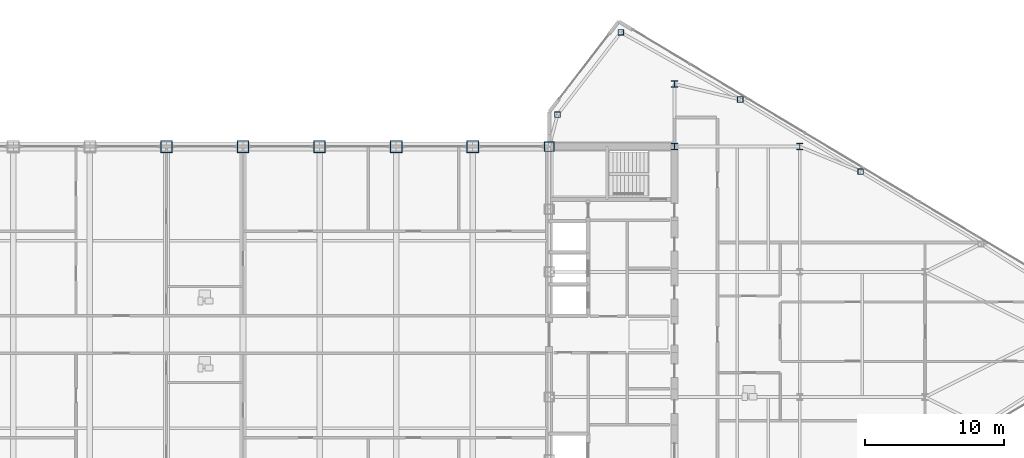
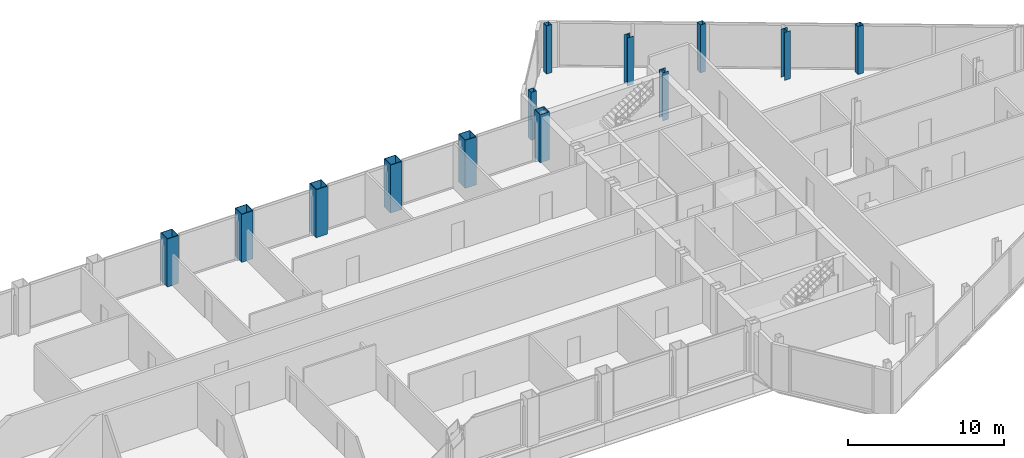
# One storey, part 6 of 29: 13 columns.
"""IFC4 building model written with IfcOpenShell, lengths in metres."""

import ifcopenshell
import ifcopenshell.guid

model = None  # the IFC model being written
_history = None  # IfcOwnerHistory: only IFC2X3 demands one
_inside = {}  # id of a spatial element -> (the spatial element, [elements in it])
_under = {}  # id of a project, library or spatial element -> (it, [spatial elements below it])
_declared = {}  # id of a project -> (the project, [libraries it declares])
_typed = {}  # id of a type object -> (the type object, [elements of that type])
_made_of = {}  # id of a material, layer set ... -> (it, [elements and type objects made of it])


def new_model(schema):
    """Start an empty IFC model of exactly this schema.

    Asked for "IFC4X3", IfcOpenShell would pick the latest addendum, in which some entities
    have other attributes; the version numbers below select the first issue.
    IFC2X3 requires an IfcOwnerHistory on every rooted entity: one is made here for all.
    """
    global model, _history
    if schema == "IFC4X3":
        model = ifcopenshell.file(schema_version=(4, 3, 0, 0))
    else:
        model = ifcopenshell.file(schema=schema)
    _inside.clear()
    _under.clear()
    _declared.clear()
    _typed.clear()
    _made_of.clear()
    _history = None
    if model.schema == "IFC2X3":
        org = make("IfcOrganization", Name="unknown")
        user = make(
            "IfcPersonAndOrganization",
            ThePerson=make("IfcPerson", FamilyName="unknown"),
            TheOrganization=org,
        )
        app = make(
            "IfcApplication",
            ApplicationDeveloper=org,
            Version="unknown",
            ApplicationFullName="unknown",
            ApplicationIdentifier="unknown",
        )
        _history = make(
            "IfcOwnerHistory",
            OwningUser=user,
            OwningApplication=app,
            ChangeAction="ADDED",
            CreationDate=0,
        )
    return model


def make(cls, **values):
    """One entity of the class cls with the attributes given. An attribute that is None is left unset."""
    return model.create_entity(
        cls, **{name: value for name, value in values.items() if value is not None}
    )


def rooted(cls, **values):
    """An entity with a GlobalId (a new one), such as an element, a storey or a relation."""
    return make(cls, GlobalId=ifcopenshell.guid.new(), OwnerHistory=_history, **values)


def si_unit(unit_type, name, prefix=None):
    """IfcSIUnit, for example si_unit("LENGTHUNIT", "METRE", prefix="MILLI")."""
    return make("IfcSIUnit", UnitType=unit_type, Prefix=prefix, Name=name)


def assignment(units):
    """IfcUnitAssignment: the units of a project."""
    return None if units is None else make("IfcUnitAssignment", Units=units)


def point(xyz):
    """IfcCartesianPoint."""
    return None if xyz is None else make("IfcCartesianPoint", Coordinates=xyz)


def direction(xyz):
    """IfcDirection."""
    return None if xyz is None else make("IfcDirection", DirectionRatios=xyz)


def frame(location, z_axis=None, x_axis=None):
    """IfcAxis2Placement3D, a coordinate frame: its origin and axes. An axis left out is left unset."""
    return make(
        "IfcAxis2Placement3D",
        Location=point(location),
        Axis=direction(z_axis),
        RefDirection=direction(x_axis),
    )


def frame_2d(location, x_axis=None):
    """IfcAxis2Placement2D, a coordinate frame in the plane: its origin and x axis."""
    return make(
        "IfcAxis2Placement2D", Location=point(location), RefDirection=direction(x_axis)
    )


def origin():
    """The frame at (0, 0, 0) with its axes left unset."""
    return frame((0.0, 0.0, 0.0))


def origin_2d():
    """The frame at (0, 0) in the plane with its x axis left unset."""
    return frame_2d((0.0, 0.0))


def place(relative_to, where):
    """IfcLocalPlacement: puts the frame where relative to a parent placement (None: the world)."""
    return make(
        "IfcLocalPlacement", PlacementRelTo=relative_to, RelativePlacement=where
    )


def context(
    kind, dimensions, precision=None, world=None, true_north=None, identifier=None
):
    """IfcGeometricRepresentationContext, for example the 3D "Model" context."""
    return make(
        "IfcGeometricRepresentationContext",
        ContextIdentifier=identifier,
        ContextType=kind,
        CoordinateSpaceDimension=dimensions,
        Precision=precision,
        WorldCoordinateSystem=world,
        TrueNorth=true_north,
    )


def subcontext(parent, identifier, kind, view, scale=None):
    """IfcGeometricRepresentationSubContext, for example "Body" below "Model"."""
    return make(
        "IfcGeometricRepresentationSubContext",
        ContextIdentifier=identifier,
        ContextType=kind,
        ParentContext=parent,
        TargetScale=scale,
        TargetView=view,
    )


def project(units=None, contexts=None):
    """IfcProject with its units and contexts."""
    return rooted(
        "IfcProject",
        Name="project",
        RepresentationContexts=contexts,
        UnitsInContext=assignment(units),
    )


def spatial(cls, under=None, at=None, **own):
    """A site, building, storey or space (cls), placed at a placement, below another one or the project."""
    s = rooted(cls, ObjectPlacement=at, **own)
    if under is not None:
        _under.setdefault(under.id(), (under, []))[1].append(s)
    return s


def profile(cls, at=None, kind="AREA", **sizes):
    """A parametric profile (cls). Its sizes go by their IFC names, for example OverallWidth=200.0."""
    return make(cls, ProfileType=kind, Position=at, **sizes)


def hollow_rectangle(**sizes):
    """IfcRectangleHollowProfileDef."""
    return profile("IfcRectangleHollowProfileDef", **sizes)


def i_section(**sizes):
    """IfcIShapeProfileDef."""
    return profile("IfcIShapeProfileDef", **sizes)


def extrude(swept, where, along, depth):
    """IfcExtrudedAreaSolid: the profile swept, set in the frame where, extruded along a direction by depth."""
    return make(
        "IfcExtrudedAreaSolid",
        SweptArea=swept,
        Position=where,
        ExtrudedDirection=direction(along),
        Depth=depth,
    )


def shape(context_of_items, identifier, shape_type, items):
    """IfcShapeRepresentation: the items that make up one representation, for example the "Body"."""
    return make(
        "IfcShapeRepresentation",
        ContextOfItems=context_of_items,
        RepresentationIdentifier=identifier,
        RepresentationType=shape_type,
        Items=items,
    )


def source(mapping_origin, context_of_items, identifier, shape_type, items):
    """IfcRepresentationMap: a shape defined once, which mapped items show again and again."""
    return make(
        "IfcRepresentationMap",
        MappingOrigin=mapping_origin,
        MappedRepresentation=shape(context_of_items, identifier, shape_type, items),
    )


def transform(
    local_origin,
    x_axis=None,
    y_axis=None,
    z_axis=None,
    scale=None,
    scale2=None,
    scale3=None,
    uniform=True,
):
    """IfcCartesianTransformationOperator3D, or its non-uniform kind. x_axis, y_axis, z_axis: its Axis1, 2, 3."""
    if uniform:
        return make(
            "IfcCartesianTransformationOperator3D",
            Axis1=direction(x_axis),
            Axis2=direction(y_axis),
            LocalOrigin=point(local_origin),
            Scale=scale,
            Axis3=direction(z_axis),
        )
    return make(
        "IfcCartesianTransformationOperator3DnonUniform",
        Axis1=direction(x_axis),
        Axis2=direction(y_axis),
        LocalOrigin=point(local_origin),
        Scale=scale,
        Axis3=direction(z_axis),
        Scale2=scale2,
        Scale3=scale3,
    )


def mapped(mapping_source, mapping_target):
    """IfcMappedItem: shows the shape of a source again, moved by a transform."""
    return make(
        "IfcMappedItem", MappingSource=mapping_source, MappingTarget=mapping_target
    )


def material(Name=None, Category=None):
    """IfcMaterial."""
    return make("IfcMaterial", Name=Name, Category=Category)


def material_profile(
    of_material, cross_section, Name=None, Category=None, Priority=None
):
    """IfcMaterialProfile: a cross section and its material."""
    return make(
        "IfcMaterialProfile",
        Name=Name,
        Material=of_material,
        Profile=cross_section,
        Priority=Priority,
        Category=Category,
    )


def profile_set(profiles, Name=None, composite=None):
    """IfcMaterialProfileSet."""
    return make(
        "IfcMaterialProfileSet",
        Name=Name,
        MaterialProfiles=profiles,
        CompositeProfile=composite,
    )


def made_of(thing, what):
    """Note that an element or type object is made of a material, layer set ...; save() writes the relation."""
    if what is not None:
        _made_of.setdefault(what.id(), (what, []))[1].append(thing)
    return thing


def type_object(cls, material=None, **own):
    """A type object (cls), such as IfcWallType, which elements share."""
    return made_of(rooted(cls, **own), material)


def type_shapes(of_type, sources):
    """Give a type object the sources (RepresentationMaps) that its elements show as mapped items."""
    of_type.RepresentationMaps = sources


def element(
    cls,
    number,
    at=None,
    inside=None,
    cuts=None,
    type_object=None,
    material=None,
    context=None,
    identifier="Body",
    shape_type=None,
    held_by="IfcProductDefinitionShape",
    body=None,
    shapes=None,
    **own,
):
    """One element of the class cls, such as IfcWall. Its Tag is "e" and its number.

    at: its placement. inside: the storey or other place that contains it. cuts: it is an
    opening in that element (IfcRelVoidsElement). A single representation is given by context,
    identifier, shape_type and body (its items); several are given by shapes. held_by: the class
    of the entity that holds the representations. save() writes the other relations.
    """
    e = rooted(cls, Tag="e%d" % number, ObjectPlacement=at, **own)
    if body is not None:
        shapes = [shape(context, identifier, shape_type, body)]
    if shapes is not None:
        e.Representation = make(held_by, Representations=shapes)
    if inside is not None:
        _inside.setdefault(inside.id(), (inside, []))[1].append(e)
    if cuts is not None:
        rooted(
            "IfcRelVoidsElement", RelatingBuildingElement=cuts, RelatedOpeningElement=e
        )
    if type_object is not None:
        _typed.setdefault(type_object.id(), (type_object, []))[1].append(e)
    return made_of(e, material)


def aggregate(whole, parts):
    """IfcRelAggregates: a whole, such as a stair, and the parts it consists of."""
    return rooted("IfcRelAggregates", RelatingObject=whole, RelatedObjects=parts)


def save(model, path):
    """Write the relations noted so far, then the file.

    IfcRelAggregates (storeys below a building ...), IfcRelContainedInSpatialStructure (elements
    in a storey), IfcRelDefinesByType, IfcRelAssociatesMaterial and IfcRelDeclares: one each for
    every whole, place, type object, material and project.
    """
    for whole, parts in _under.values():
        aggregate(whole, parts)
    for where, things in _inside.values():
        rooted(
            "IfcRelContainedInSpatialStructure",
            RelatedElements=things,
            RelatingStructure=where,
        )
    for kind, things in _typed.values():
        rooted("IfcRelDefinesByType", RelatedObjects=things, RelatingType=kind)
    for what, things in _made_of.values():
        rooted("IfcRelAssociatesMaterial", RelatedObjects=things, RelatingMaterial=what)
    for by, libraries in _declared.values():
        rooted("IfcRelDeclares", RelatingContext=by, RelatedDefinitions=libraries)
    model.write(path)


model = new_model("IFC4")

# Units and contexts
model_context = context("Model", 3, precision=1e-05, world=origin(), true_north=direction((0.0, 1.0)))
body_context = subcontext(model_context, "Body", "Model", "MODEL_VIEW")
ifc_project = project(units=[si_unit("LENGTHUNIT", "METRE"), si_unit("AREAUNIT", "SQUARE_METRE"), si_unit("VOLUMEUNIT", "CUBIC_METRE"), si_unit("PLANEANGLEUNIT", "RADIAN"), si_unit("MASSUNIT", "GRAM", prefix="KILO")], contexts=[model_context])

# Site, building, storey
site_placement = place(None, origin())
site = spatial("IfcSite", under=ifc_project, at=site_placement, CompositionType="ELEMENT")
building_placement = place(site_placement, origin())
building = spatial("IfcBuilding", under=site, at=building_placement, Name="Seokmaru Belvedere", CompositionType="ELEMENT")
storey_placement = place(building_placement, frame((0.0, 0.0, 239.39990234375)))
storey = spatial("IfcBuildingStorey", under=building, at=storey_placement, Name="L63", CompositionType="ELEMENT", Elevation=239.39990234375)

# Columns
ifc_material_1 = material(Name="Steel SM355 (355 MPa)", Category="steel")
ifc_material_profile_1 = material_profile(ifc_material_1, hollow_rectangle(XDim=0.699951171875, YDim=0.699951171875, WallThickness=0.030029296875, at=origin_2d()), Name="BOX-700x700x30")
ifc_profile_set_1 = profile_set([ifc_material_profile_1], Name="Steel SM355 (355 MPa)")
column_type_1 = type_object("IfcColumnType", Name="Upper Spine Column BOX-700", PredefinedType="COLUMN", material=ifc_profile_set_1)
shared_shape_1 = source(origin(), body_context, "Body", "SweptSolid", [
    extrude(hollow_rectangle(XDim=0.699951171875, YDim=0.699951171875, WallThickness=0.030029296875, at=origin_2d()), origin(), (0.0, 0.0, 1.0), 3.75),
])
type_shapes(column_type_1, [shared_shape_1])
column_placement = place(storey_placement, frame((27.5, 13.5, 0.0), z_axis=(0.0, 0.0, 1.0), x_axis=(1.0, 0.0, 0.0)))
element("IfcColumn", 1, at=column_placement, inside=storey, type_object=column_type_1, Name="L63 Column ES6", PredefinedType="COLUMN", context=body_context, shape_type="MappedRepresentation", body=[
    mapped(shared_shape_1, transform((0.0, 0.0, 0.0), scale=1.0)),
])
ifc_material_profile_2 = material_profile(ifc_material_1, i_section(OverallWidth=0.449951171875, OverallDepth=0.449951171875, WebThickness=0.01611328125, FlangeThickness=0.02490234375, at=origin_2d()), Name="H-450x450x16x25")
ifc_profile_set_2 = profile_set([ifc_material_profile_2], Name="Steel SM355 (355 MPa)")
column_type_2 = type_object("IfcColumnType", Name="Sky-Gate Column H-450", PredefinedType="COLUMN", material=ifc_profile_set_2)
shared_shape_2 = source(origin(), body_context, "Body", "SweptSolid", [
    extrude(i_section(OverallWidth=0.449951171875, OverallDepth=0.449951171875, WebThickness=0.01611328125, FlangeThickness=0.02490234375, at=origin_2d()), origin(), (0.0, 0.0, 1.0), 3.75),
])
type_shapes(column_type_2, [shared_shape_2])
for number, where, z_axis, x_axis, name in (
    (2, (36.5, 13.5, 0.0), (0.0, 0.0, 1.0), (1.0, 0.0, 0.0), "L63 Column EC3"),
    (3, (36.5, 18.0, 0.0), (0.0, 0.0, 1.0), (1.0, 0.0, 0.0), "L63 Column EC4"),
    (4, (45.5, 13.5, 0.0), (0.0, 0.0, 1.0), (1.0, 0.0, 0.0), "L63 Column EG5_4"),
):
    element("IfcColumn", number, at=place(storey_placement, frame(where, z_axis=z_axis, x_axis=x_axis)), inside=storey, type_object=column_type_2, Name=name, PredefinedType="COLUMN", context=body_context, shape_type="MappedRepresentation", body=[
        mapped(shared_shape_2, transform((0.0, 0.0, 0.0), scale=1.0)),
    ])
ifc_material_profile_3 = material_profile(ifc_material_1, hollow_rectangle(XDim=0.39990234375, YDim=0.39990234375, WallThickness=0.01611328125, at=origin_2d()), Name="HSS-400x400x16")
ifc_profile_set_3 = profile_set([ifc_material_profile_3], Name="Steel SM355 (355 MPa)")
column_type_3 = type_object("IfcColumnType", Name="Perimeter Facet Column HSS-400", PredefinedType="COLUMN", material=ifc_profile_set_3)
shared_shape_3 = source(origin(), body_context, "Body", "SweptSolid", [
    extrude(hollow_rectangle(XDim=0.39990234375, YDim=0.39990234375, WallThickness=0.01611328125, at=origin_2d()), origin(), (0.0, 0.0, 1.0), 3.75),
])
type_shapes(column_type_3, [shared_shape_3])
for number, where, z_axis, x_axis, name in (
    (5, (32.649658203125, 21.71044921875, 0.0), (0.0, 0.0, 1.0), (1.0, 0.0, 0.0), "L63 Column EF4"),
    (6, (28.10009765625, 15.7958984375, 0.0), (0.0, 0.0, 1.0), (1.0, 0.0, 0.0), "L63 Column EF5"),
    (7, (41.229736328125, 16.888916015625, 0.0), (0.0, 0.0, 1.0), (1.0, 0.0, 0.0), "L63 Column EFLK_N1"),
    (8, (49.8798828125, 11.698974609375, 0.0), (0.0, 0.0, 1.0), (1.0, 0.0, 0.0), "L63 Column EFLK_N2"),
):
    element("IfcColumn", number, at=place(storey_placement, frame(where, z_axis=z_axis, x_axis=x_axis)), inside=storey, type_object=column_type_3, Name=name, PredefinedType="COLUMN", context=body_context, shape_type="MappedRepresentation", body=[
        mapped(shared_shape_3, transform((0.0, 0.0, 0.0), scale=1.0)),
    ])
ifc_material_2 = material(Name="Steel HSA650 (650 MPa)", Category="steel")
ifc_material_profile_4 = material_profile(ifc_material_2, hollow_rectangle(XDim=0.85009765625, YDim=0.85009765625, WallThickness=0.035888671875, at=origin_2d()), Name="BOX-850x850x36")
ifc_profile_set_4 = profile_set([ifc_material_profile_4], Name="Steel HSA650 (650 MPa)")
column_type_4 = type_object("IfcColumnType", Name="Portal Spine Column BOX-850", PredefinedType="COLUMN", material=ifc_profile_set_4)
shared_shape_4 = source(origin(), body_context, "Body", "SweptSolid", [
    extrude(hollow_rectangle(XDim=0.85009765625, YDim=0.85009765625, WallThickness=0.035888671875, at=origin_2d()), origin(), (0.0, 0.0, 1.0), 3.75),
])
type_shapes(column_type_4, [shared_shape_4])
for number, where, z_axis, x_axis, name in (
    (9, (0.0, 13.5, 0.0), (0.0, 0.0, 1.0), (1.0, 0.0, 0.0), "L63 Column BRN_5"),
    (10, (5.5, 13.5, 0.0), (0.0, 0.0, 1.0), (1.0, 0.0, 0.0), "L63 Column BRN_6"),
    (11, (11.0, 13.5, 0.0), (0.0, 0.0, 1.0), (1.0, 0.0, 0.0), "L63 Column BRN_7"),
    (12, (16.5, 13.5, 0.0), (0.0, 0.0, 1.0), (1.0, 0.0, 0.0), "L63 Column BRN_8"),
    (13, (22.0, 13.5, 0.0), (0.0, 0.0, 1.0), (1.0, 0.0, 0.0), "L63 Column BRN_9"),
):
    element("IfcColumn", number, at=place(storey_placement, frame(where, z_axis=z_axis, x_axis=x_axis)), inside=storey, type_object=column_type_4, Name=name, PredefinedType="COLUMN", context=body_context, shape_type="MappedRepresentation", body=[
        mapped(shared_shape_4, transform((0.0, 0.0, 0.0), scale=1.0)),
    ])

save(model, "model.ifc")
